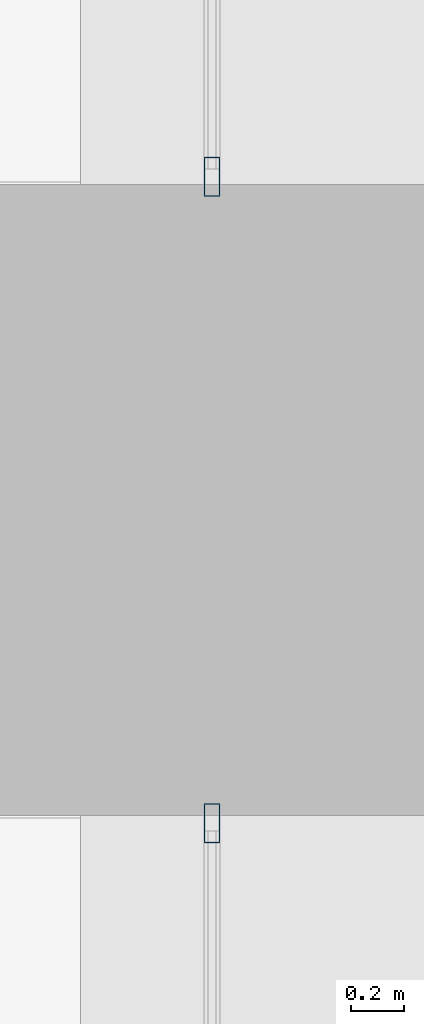
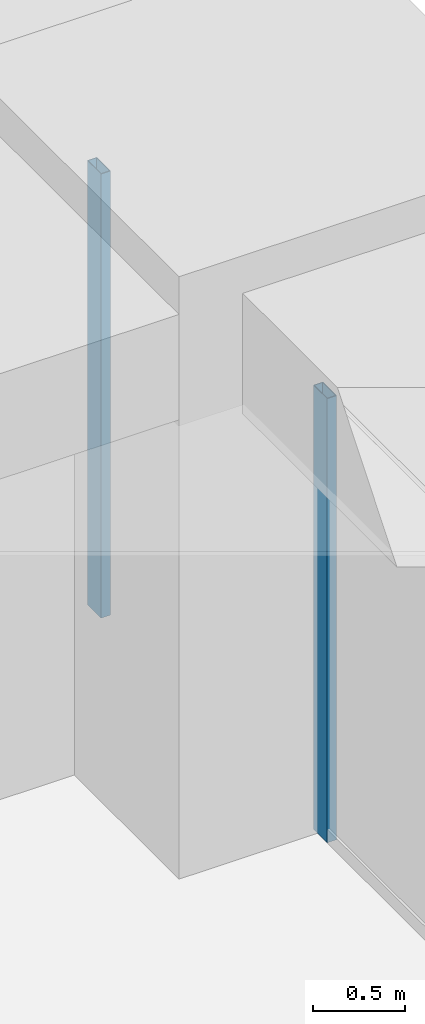
# One storey, part 23 of 43: 2 members, 2 elements without a shape of their own.
"""IFC4 building model written with IfcOpenShell, lengths in metres."""

from ifc_helpers import new_model, si_unit, direction, frame, origin, origin_2d, place, context, subcontext, project, spatial, hollow_rectangle, extrude, material, material_profile, profile_set, type_object, element, aggregate, save


model = new_model("IFC4")

# Units and contexts
model_context = context("Model", 3, precision=1e-05, world=origin(), true_north=direction((0.0, 1.0)))
body_context = subcontext(model_context, "Body", "Model", "MODEL_VIEW")
ifc_project = project(units=[si_unit("LENGTHUNIT", "METRE"), si_unit("AREAUNIT", "SQUARE_METRE"), si_unit("VOLUMEUNIT", "CUBIC_METRE"), si_unit("PLANEANGLEUNIT", "RADIAN"), si_unit("MASSUNIT", "GRAM", prefix="KILO")], contexts=[model_context])

# Site, building, storey
site_placement = place(None, origin())
site = spatial("IfcSite", under=ifc_project, at=site_placement, CompositionType="ELEMENT")
building_placement = place(site_placement, origin())
building = spatial("IfcBuilding", under=site, at=building_placement, Name="Zorevar Civic Tower", CompositionType="ELEMENT")
storey_placement = place(building_placement, frame((0.0, 0.0, 145.0)))
storey = spatial("IfcBuildingStorey", under=building, at=storey_placement, Name="L35", CompositionType="ELEMENT", Elevation=145.0)

# Curtain wall, member
ifc_material_1 = material(Name="Dark grey solar-control glass in black aluminium frame", Category="aluminium")
curtain_wall_type = type_object("IfcCurtainWallType", Name="Curtain wall CW3 mid zone", PredefinedType="NOTDEFINED", material=ifc_material_1)
curtain_wall_1_placement = place(storey_placement, origin())
curtain_wall_1 = element("IfcCurtainWall", 1, at=curtain_wall_1_placement, inside=storey, type_object=curtain_wall_type, Name="CW3 L35", PredefinedType="NOTDEFINED")
ifc_material_2 = material(Name="Aluminium, black anodised", Category="aluminium")
ifc_material_profile = material_profile(ifc_material_2, hollow_rectangle(XDim=0.06005859375, YDim=0.14990234375, WallThickness=0.00390625, at=origin_2d()), Name="AL 150x60x4")
ifc_profile_set = profile_set([ifc_material_profile], Name="Aluminium, black anodised")
member_type = type_object("IfcMemberType", Name="CW3 mullion AL 150x60x4", PredefinedType="MULLION", material=ifc_profile_set)
member_1_placement = place(storey_placement, frame((62.699951171875, 25.77001953125, 0.0), z_axis=(0.0, 0.0, 1.0), x_axis=(-1.0, 0.0, 0.0)))
member_1 = element("IfcMember", 2, at=member_1_placement, type_object=member_type, Name="CW3 mullion 3", PredefinedType="MULLION", context=body_context, shape_type="SweptSolid", body=[
    extrude(hollow_rectangle(XDim=0.06005859375, YDim=0.14990234375, WallThickness=0.00390625, at=origin_2d()), origin(), (0.0, 0.0, 1.0), 2.949951171875),
])
aggregate(curtain_wall_1, [member_1])

curtain_wall_2_placement = place(storey_placement, origin())
curtain_wall_2 = element("IfcCurtainWall", 3, at=curtain_wall_2_placement, inside=storey, type_object=curtain_wall_type, Name="CW3 L35", PredefinedType="NOTDEFINED")
member_2_placement = place(storey_placement, frame((62.699951171875, 28.22998046875, 0.0), z_axis=(0.0, 0.0, 1.0), x_axis=(-1.0, 0.0, 0.0)))
member_2 = element("IfcMember", 4, at=member_2_placement, type_object=member_type, Name="CW3 mullion 1", PredefinedType="MULLION", context=body_context, shape_type="SweptSolid", body=[
    extrude(hollow_rectangle(XDim=0.06005859375, YDim=0.14990234375, WallThickness=0.00390625, at=origin_2d()), origin(), (0.0, 0.0, 1.0), 2.949951171875),
])
aggregate(curtain_wall_2, [member_2])

save(model, "model.ifc")
